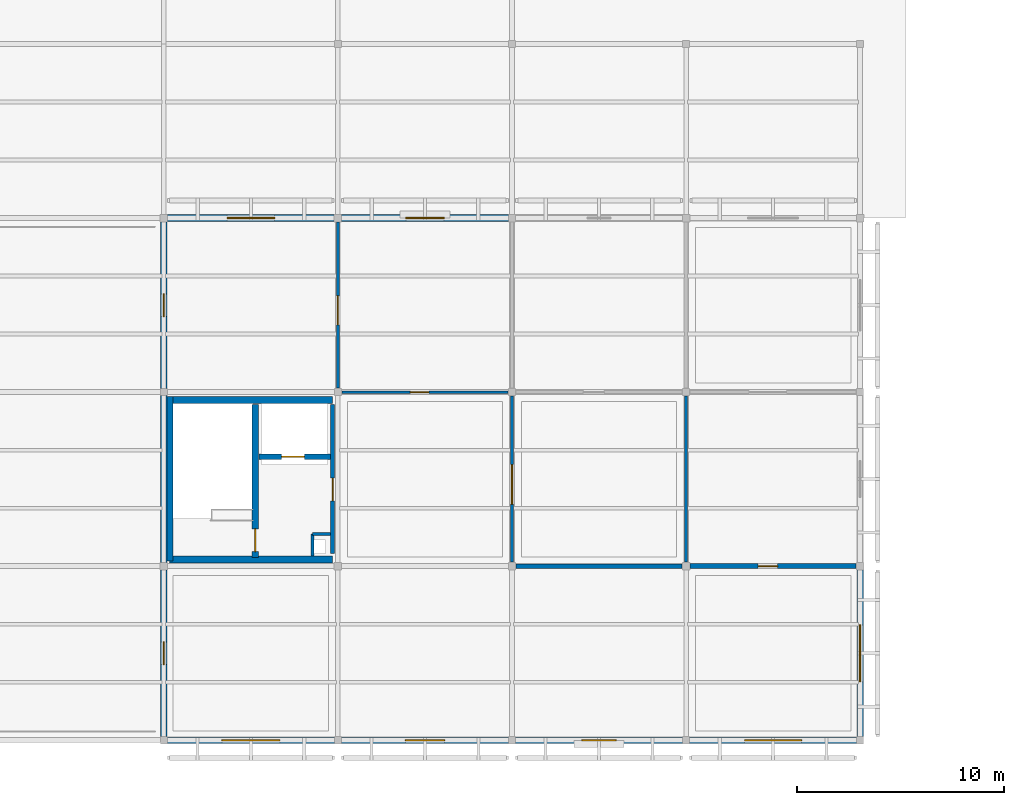
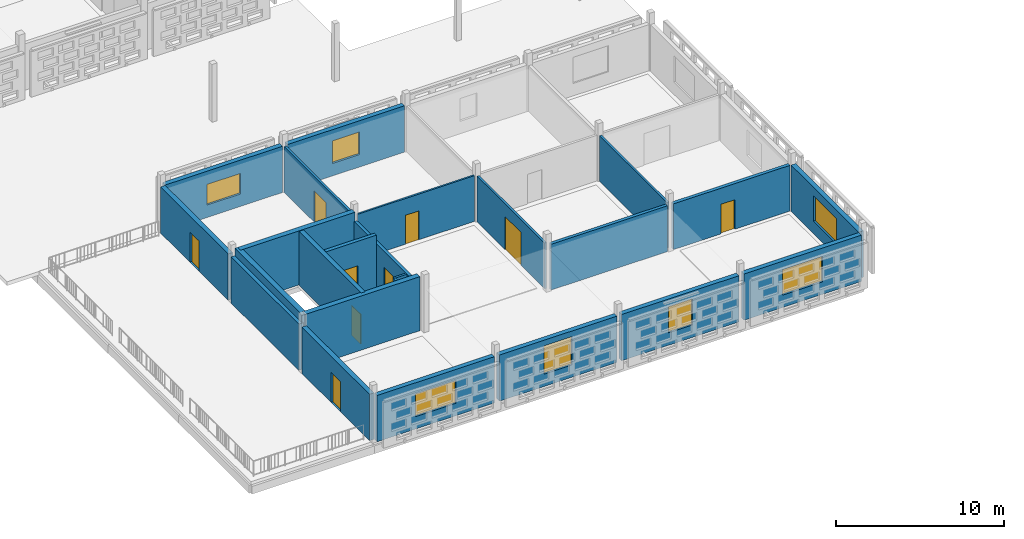
# One storey, part 69 of 103: 24 walls, 9 doors, 7 windows, 16 openings.
"""IFC4 building model written with IfcOpenShell, lengths in metres."""

from ifc_helpers import new_model, si_unit, direction, frame, frame_2d, origin, place, context, subcontext, project, spatial, rectangle, extrude, material, layer, layer_set, type_object, element, fill, save


model = new_model("IFC4")

# Units and contexts
model_context = context("Model", 3, precision=1e-05, world=origin(), true_north=direction((0.0, 1.0)))
body_context = subcontext(model_context, "Body", "Model", "MODEL_VIEW")
ifc_project = project(units=[si_unit("LENGTHUNIT", "METRE"), si_unit("AREAUNIT", "SQUARE_METRE"), si_unit("VOLUMEUNIT", "CUBIC_METRE"), si_unit("PLANEANGLEUNIT", "RADIAN"), si_unit("MASSUNIT", "GRAM", prefix="KILO")], contexts=[model_context])

# Site, building, storey
site_placement = place(None, origin())
site = spatial("IfcSite", under=ifc_project, at=site_placement, CompositionType="ELEMENT")
building_placement = place(site_placement, origin())
building = spatial("IfcBuilding", under=site, at=building_placement, Name="Varnapada Polytechnic", CompositionType="ELEMENT")
storey_placement = place(building_placement, frame((0.0, 0.0, 18.0)))
storey = spatial("IfcBuildingStorey", under=building, at=storey_placement, Name="L04", CompositionType="ELEMENT", Elevation=18.0)

# Wall, opening, door
ifc_material_1 = material(Name="Autoclaved Aerated Concrete Block AAC-600", Category="concrete")
ifc_layer_1 = layer(ifc_material_1, 0.199951171875)
ifc_layer_set_1 = layer_set([ifc_layer_1], Name="Autoclaved Aerated Concrete Block AAC-600")
wall_type_1 = type_object("IfcWallType", Name="Interior Wall IW-01", PredefinedType="PARTITIONING", material=ifc_layer_set_1)
wall_1_placement = place(storey_placement, frame((24.93994140625, 24.60009765625, 0.0), z_axis=(0.0, 0.0, 1.0), x_axis=(0.0, -1.0, 0.0)))
wall_1 = element("IfcWall", 1, at=wall_1_placement, inside=storey, type_object=wall_type_1, Name="L04 C3 firefighting lobby east wall", PredefinedType="PARTITIONING", context=body_context, shape_type="SweptSolid", body=[
    extrude(rectangle(XDim=7.2001953125, YDim=0.199951171875, at=frame_2d((3.60009765625, 0.0))), origin(), (0.0, 0.0, 1.0), 3.320068359375),
])
opening_1_placement = place(wall_1_placement, frame((3.550048828125, 0.0, 0.0)))
opening_1 = element("IfcOpeningElement", 2, at=opening_1_placement, cuts=wall_1, Name="Opening D-1263", PredefinedType="OPENING", context=body_context, shape_type="SweptSolid", body=[
    extrude(rectangle(XDim=1.10009765625, YDim=2.14990234375, at=frame_2d((0.550048828125, 1.074951171875))), frame((0.0, 0.10986328125, 0.0), z_axis=(0.0, -1.0, 0.0), x_axis=(1.0, 0.0, 0.0)), (0.0, 0.0, 1.0), 0.219970703125),
])
ifc_material_2 = material(Name="Galvanized Steel Z275", Category="steel")
door_type_1 = type_object("IfcDoorType", Name="Interior Door ID-01", OperationType="NOTDEFINED", PredefinedType="DOOR", material=ifc_material_2)
door_1_placement = place(opening_1_placement, frame((1.10009765625, 0.0, 0.0), z_axis=(0.0, 0.0, 1.0), x_axis=(-1.0, 0.0, 0.0)))
door_1 = element("IfcDoor", 3, at=door_1_placement, inside=storey, type_object=door_type_1, Name="L04 C3 lobby fire door D-1263", OperationType="SINGLE_SWING_LEFT", OverallHeight=2.14990234375, OverallWidth=1.10009765625, PredefinedType="DOOR", context=body_context, shape_type="SweptSolid", body=[
    extrude(rectangle(XDim=1.10009765625, YDim=2.14990234375, at=frame_2d((0.550048828125, 1.074951171875))), frame((0.0, 0.02490234375, 0.0), z_axis=(0.0, -1.0, 0.0), x_axis=(1.0, 0.0, 0.0)), (0.0, 0.0, 1.0), 0.050048828125),
])
fill(opening_1, door_1)

# Walls
ifc_layer_2 = layer(ifc_material_1, 0.14990234375)
ifc_layer_set_2 = layer_set([ifc_layer_2], Name="Autoclaved Aerated Concrete Block AAC-600")
wall_type_2 = type_object("IfcWallType", Name="Interior Wall IW-02", PredefinedType="PARTITIONING", material=ifc_layer_set_2)
wall_2_placement = place(storey_placement, frame((23.97998046875, 18.360107421875, 0.0), z_axis=(0.0, 0.0, 1.0), x_axis=(0.0, -1.0, 0.0)))
element("IfcWall", 4, at=wall_2_placement, inside=storey, type_object=wall_type_2, Name="L04 C3 riser shaft west wall", PredefinedType="PARTITIONING", context=body_context, shape_type="SweptSolid", body=[
    extrude(rectangle(XDim=1.06005859375, YDim=0.14990234375, at=frame_2d((0.530029296875, 0.0))), origin(), (0.0, 0.0, 1.0), 3.320068359375),
])
wall_3_placement = place(storey_placement, frame((23.97998046875, 18.360107421875, 0.0), z_axis=(0.0, 0.0, 1.0), x_axis=(1.0, 0.0, 0.0)))
element("IfcWall", 5, at=wall_3_placement, inside=storey, type_object=wall_type_2, Name="L04 C3 riser shaft north wall", PredefinedType="PARTITIONING", context=body_context, shape_type="SweptSolid", body=[
    extrude(rectangle(XDim=0.860107421875, YDim=0.14990234375, at=frame_2d((0.43017578125, 0.0))), origin(), (0.0, 0.0, 1.0), 3.320068359375),
])

# Wall, opening, door
wall_4_placement = place(storey_placement, frame((33.60009765625, 17.0, 0.0), z_axis=(0.0, 0.0, 1.0), x_axis=(0.0, 1.0, 0.0)))
wall_4 = element("IfcWall", 6, at=wall_4_placement, inside=storey, type_object=wall_type_2, Name="L04 interior partition IW-L04-03-02-V", PredefinedType="PARTITIONING", context=body_context, shape_type="SweptSolid", body=[
    extrude(rectangle(XDim=8.010009765625, YDim=0.14990234375, at=frame_2d((4.0048828125, 0.0))), origin(), (0.0, 0.0, 1.0), 3.320068359375),
])
opening_2_placement = place(wall_4_placement, frame((2.800048828125, 0.0, 0.0)))
opening_2 = element("IfcOpeningElement", 7, at=opening_2_placement, cuts=wall_4, Name="Opening D-1287", PredefinedType="OPENING", context=body_context, shape_type="SweptSolid", body=[
    extrude(rectangle(XDim=1.89990234375, YDim=2.39990234375, at=frame_2d((0.949951171875, 1.199951171875))), frame((0.0, 0.0849609375, 0.0), z_axis=(0.0, -1.0, 0.0), x_axis=(1.0, 0.0, 0.0)), (0.0, 0.0, 1.0), 0.169921875),
])
ifc_material_3 = material(Name="Heavy Workshop Double Steel Door", Category="steel")
door_type_2 = type_object("IfcDoorType", Name="Interior Door ID-14", OperationType="NOTDEFINED", PredefinedType="DOOR", material=ifc_material_3)
door_2_placement = place(opening_2_placement, origin())
door_2 = element("IfcDoor", 8, at=door_2_placement, inside=storey, type_object=door_type_2, Name="L04 interior room door D-1287", OperationType="SINGLE_SWING_RIGHT", OverallHeight=2.39990234375, OverallWidth=1.89990234375, PredefinedType="DOOR", context=body_context, shape_type="SweptSolid", body=[
    extrude(rectangle(XDim=1.89990234375, YDim=2.39990234375, at=frame_2d((0.949951171875, 1.199951171875))), frame((0.0, 0.02490234375, 0.0), z_axis=(0.0, -1.0, 0.0), x_axis=(1.0, 0.0, 0.0)), (0.0, 0.0, 1.0), 0.050048828125),
])
fill(opening_2, door_2)

ifc_material_4 = material(Name="Gypsum Plasterboard Acoustic Partition")
ifc_layer_3 = layer(ifc_material_4, 0.125)
ifc_layer_set_3 = layer_set([ifc_layer_3], Name="Gypsum Plasterboard Acoustic Partition")
wall_type_3 = type_object("IfcWallType", Name="Interior Wall IW-03", PredefinedType="PARTITIONING", material=ifc_layer_set_3)
wall_5_placement = place(storey_placement, frame((25.389892578125, 25.199951171875, 0.0), z_axis=(0.0, 0.0, 1.0), x_axis=(1.0, 0.0, 0.0)))
wall_5 = element("IfcWall", 9, at=wall_5_placement, inside=storey, type_object=wall_type_3, Name="L04 interior partition IW-L04-03-02-H", PredefinedType="PARTITIONING", context=body_context, shape_type="SweptSolid", body=[
    extrude(rectangle(XDim=8.02001953125, YDim=0.125, at=frame_2d((4.010009765625, 0.0))), origin(), (0.0, 0.0, 1.0), 3.320068359375),
])
opening_3_placement = place(wall_5_placement, frame((3.300048828125, 0.0, 0.0)))
opening_3 = element("IfcOpeningElement", 10, at=opening_3_placement, cuts=wall_5, Name="Opening D-1288", PredefinedType="OPENING", context=body_context, shape_type="SweptSolid", body=[
    extrude(rectangle(XDim=0.89990234375, YDim=2.10009765625, at=frame_2d((0.449951171875, 1.050048828125))), frame((0.0, 0.072509765625, 0.0), z_axis=(0.0, -1.0, 0.0), x_axis=(1.0, 0.0, 0.0)), (0.0, 0.0, 1.0), 0.14501953125),
])
ifc_material_5 = material(Name="Moisture-Resistant HPL Timber", Category="wood")
door_type_3 = type_object("IfcDoorType", Name="Interior Door ID-15", OperationType="NOTDEFINED", PredefinedType="DOOR", material=ifc_material_5)
door_3_placement = place(opening_3_placement, origin())
door_3 = element("IfcDoor", 11, at=door_3_placement, inside=storey, type_object=door_type_3, Name="L04 interior room door D-1288", OperationType="SINGLE_SWING_LEFT", OverallHeight=2.10009765625, OverallWidth=0.89990234375, PredefinedType="DOOR", context=body_context, shape_type="SweptSolid", body=[
    extrude(rectangle(XDim=0.89990234375, YDim=2.10009765625, at=frame_2d((0.449951171875, 1.050048828125))), frame((0.0, 0.02490234375, 0.0), z_axis=(0.0, -1.0, 0.0), x_axis=(1.0, 0.0, 0.0)), (0.0, 0.0, 1.0), 0.050048828125),
])
fill(opening_3, door_3)

ifc_material_6 = material(Name="Cross-laminated timber CLT C24", Category="wood")
ifc_layer_4 = layer(ifc_material_6, 0.159912109375)
ifc_layer_set_4 = layer_set([ifc_layer_4], Name="Cross-laminated timber CLT C24")
wall_type_4 = type_object("IfcWallType", Name="Interior Wall IW-05", PredefinedType="PARTITIONING", material=ifc_layer_set_4)
wall_6_placement = place(storey_placement, frame((25.199951171875, 25.389892578125, 0.0), z_axis=(0.0, 0.0, 1.0), x_axis=(0.0, 1.0, 0.0)))
wall_6 = element("IfcWall", 12, at=wall_6_placement, inside=storey, type_object=wall_type_4, Name="L04 interior partition IW-L04-02-03-V", PredefinedType="PARTITIONING", context=body_context, shape_type="SweptSolid", body=[
    extrude(rectangle(XDim=8.010009765625, YDim=0.159912109375, at=frame_2d((4.0048828125, 0.0))), origin(), (0.0, 0.0, 1.0), 3.320068359375),
])
opening_4_placement = place(wall_6_placement, frame((3.050048828125, 0.0, 0.0)))
opening_4 = element("IfcOpeningElement", 13, at=opening_4_placement, cuts=wall_6, Name="Opening D-1279", PredefinedType="OPENING", context=body_context, shape_type="SweptSolid", body=[
    extrude(rectangle(XDim=1.39990234375, YDim=2.25, at=frame_2d((0.699951171875, 1.125))), frame((0.0, 0.08984375, 0.0), z_axis=(0.0, -1.0, 0.0), x_axis=(1.0, 0.0, 0.0)), (0.0, 0.0, 1.0), 0.179931640625),
])
ifc_material_7 = material(Name="Powder-Coated Aluminium 6063-T6", Category="aluminium")
door_type_4 = type_object("IfcDoorType", Name="Interior Door ID-06", OperationType="NOTDEFINED", PredefinedType="DOOR", material=ifc_material_7)
door_4_placement = place(opening_4_placement, origin())
door_4 = element("IfcDoor", 14, at=door_4_placement, inside=storey, type_object=door_type_4, Name="L04 interior room door D-1279", OperationType="SINGLE_SWING_RIGHT", OverallHeight=2.25, OverallWidth=1.39990234375, PredefinedType="DOOR", context=body_context, shape_type="SweptSolid", body=[
    extrude(rectangle(XDim=1.39990234375, YDim=2.25, at=frame_2d((0.699951171875, 1.125))), frame((0.0, 0.02490234375, 0.0), z_axis=(0.0, -1.0, 0.0), x_axis=(1.0, 0.0, 0.0)), (0.0, 0.0, 1.0), 0.050048828125),
])
fill(opening_4, door_4)

# Walls
ifc_material_8 = material(Name="Heavy Acoustic Auditorium Baffle Wall")
ifc_layer_5 = layer(ifc_material_8, 0.219970703125)
ifc_layer_set_5 = layer_set([ifc_layer_5], Name="Heavy Acoustic Auditorium Baffle Wall")
wall_type_5 = type_object("IfcWallType", Name="Interior Wall IW-13", PredefinedType="PARTITIONING", material=ifc_layer_set_5)
wall_7_placement = place(storey_placement, frame((33.800048828125, 16.800048828125, 0.0), z_axis=(0.0, 0.0, 1.0), x_axis=(1.0, 0.0, 0.0)))
element("IfcWall", 15, at=wall_7_placement, inside=storey, type_object=wall_type_5, Name="L04 interior partition IW-L04-04-01-H", PredefinedType="PARTITIONING", context=body_context, shape_type="SweptSolid", body=[
    extrude(rectangle(XDim=8.0, YDim=0.219970703125, at=frame_2d((4.0, 0.0))), origin(), (0.0, 0.0, 1.0), 3.320068359375),
])
ifc_material_9 = material(Name="Ceramic-Tiled Wet Laboratory Wall")
ifc_layer_6 = layer(ifc_material_9, 0.14501953125)
ifc_layer_set_6 = layer_set([ifc_layer_6], Name="Ceramic-Tiled Wet Laboratory Wall")
wall_type_6 = type_object("IfcWallType", Name="Interior Wall IW-14", PredefinedType="PARTITIONING", material=ifc_layer_set_6)
wall_8_placement = place(storey_placement, frame((42.0, 17.0, 0.0), z_axis=(0.0, 0.0, 1.0), x_axis=(0.0, 1.0, 0.0)))
element("IfcWall", 16, at=wall_8_placement, inside=storey, type_object=wall_type_6, Name="L04 interior partition IW-L04-04-02-V", PredefinedType="PARTITIONING", context=body_context, shape_type="SweptSolid", body=[
    extrude(rectangle(XDim=8.010009765625, YDim=0.14501953125, at=frame_2d((4.0048828125, 0.0))), origin(), (0.0, 0.0, 1.0), 3.320068359375),
])

# Wall, opening, door
ifc_material_10 = material(Name="Double-Leaf Acoustic Lecture Wall")
ifc_layer_7 = layer(ifc_material_10, 0.235107421875)
ifc_layer_set_7 = layer_set([ifc_layer_7], Name="Double-Leaf Acoustic Lecture Wall")
wall_type_7 = type_object("IfcWallType", Name="Interior Wall IW-17", PredefinedType="PARTITIONING", material=ifc_layer_set_7)
wall_9_placement = place(storey_placement, frame((42.199951171875, 16.800048828125, 0.0), z_axis=(0.0, 0.0, 1.0), x_axis=(1.0, 0.0, 0.0)))
wall_9 = element("IfcWall", 17, at=wall_9_placement, inside=storey, type_object=wall_type_7, Name="L04 interior partition IW-L04-05-01-H", PredefinedType="PARTITIONING", context=body_context, shape_type="SweptSolid", body=[
    extrude(rectangle(XDim=8.0, YDim=0.235107421875, at=frame_2d((4.0, 0.0))), origin(), (0.0, 0.0, 1.0), 3.320068359375),
])
opening_5_placement = place(wall_9_placement, frame((3.27490234375, 0.0, 0.0)))
opening_5 = element("IfcOpeningElement", 18, at=opening_5_placement, cuts=wall_9, Name="Opening D-1293", PredefinedType="OPENING", context=body_context, shape_type="SweptSolid", body=[
    extrude(rectangle(XDim=0.949951171875, YDim=2.14990234375, at=frame_2d((0.47509765625, 1.074951171875))), frame((0.0, 0.12744140625, 0.0), z_axis=(0.0, -1.0, 0.0), x_axis=(1.0, 0.0, 0.0)), (0.0, 0.0, 1.0), 0.255126953125),
])
door_type_5 = type_object("IfcDoorType", Name="Interior Door ID-03", OperationType="NOTDEFINED", PredefinedType="DOOR", material=ifc_material_5)
door_5_placement = place(opening_5_placement, origin())
door_5 = element("IfcDoor", 19, at=door_5_placement, inside=storey, type_object=door_type_5, Name="L04 interior room door D-1293", OperationType="SINGLE_SWING_RIGHT", OverallHeight=2.14990234375, OverallWidth=0.949951171875, PredefinedType="DOOR", context=body_context, shape_type="SweptSolid", body=[
    extrude(rectangle(XDim=0.949951171875, YDim=2.14990234375, at=frame_2d((0.47509765625, 1.074951171875))), frame((0.0, 0.02490234375, 0.0), z_axis=(0.0, -1.0, 0.0), x_axis=(1.0, 0.0, 0.0)), (0.0, 0.0, 1.0), 0.050048828125),
])
fill(opening_5, door_5)

# Walls
ifc_material_11 = material(Name="Concrete C40/50", Category="concrete")
ifc_layer_8 = layer(ifc_material_11, 0.35009765625)
ifc_layer_set_8 = layer_set([ifc_layer_8], Name="Concrete C40/50")
wall_type_8 = type_object("IfcWallType", Name="Interior Wall SW-01", PredefinedType="SHEAR", material=ifc_layer_set_8)
wall_10_placement = place(storey_placement, frame((17.06494140625, 17.050048828125, 0.0), z_axis=(0.0, 0.0, 1.0), x_axis=(0.0, 1.0, 0.0)))
element("IfcWall", 20, at=wall_10_placement, inside=storey, type_object=wall_type_8, Name="L04 C3 stair west shear wall", PredefinedType="SHEAR", context=body_context, shape_type="SweptSolid", body=[
    extrude(rectangle(XDim=7.93994140625, YDim=0.35009765625, at=frame_2d((3.969970703125, 0.0))), origin(), (0.0, 0.0, 1.0), 3.929931640625),
])
for number, where, z_axis, x_axis, name in (
    (21, (17.06494140625, 24.820068359375, 0.0), (0.0, 0.0, 1.0), (1.0, 0.0, 0.0), "L04 C3 core north shear wall"),
    (22, (24.93994140625, 17.1201171875, 0.0), (0.0, 0.0, 1.0), (-1.0, 0.0, 0.0), "L04 C3 core south shear wall"),
):
    element("IfcWall", number, at=place(storey_placement, frame(where, z_axis=z_axis, x_axis=x_axis)), inside=storey, type_object=wall_type_8, Name=name, PredefinedType="SHEAR", context=body_context, shape_type="SweptSolid", body=[
        extrude(rectangle(XDim=7.875, YDim=0.35009765625, at=frame_2d((3.9375, 0.0))), origin(), (0.0, 0.0, 1.0), 3.929931640625),
    ])

# Wall, opening, door
ifc_layer_9 = layer(ifc_material_11, 0.300048828125)
ifc_layer_set_9 = layer_set([ifc_layer_9], Name="Concrete C40/50")
wall_type_9 = type_object("IfcWallType", Name="Interior Wall SW-02", PredefinedType="SHEAR", material=ifc_layer_set_9)
wall_11_placement = place(storey_placement, frame((21.2099609375, 17.219970703125, 0.0), z_axis=(0.0, 0.0, 1.0), x_axis=(0.0, 1.0, 0.0)))
wall_11 = element("IfcWall", 23, at=wall_11_placement, inside=storey, type_object=wall_type_9, Name="L04 C3 stair-lobby dividing shear wall", PredefinedType="SHEAR", context=body_context, shape_type="SweptSolid", body=[
    extrude(rectangle(XDim=7.380126953125, YDim=0.300048828125, at=frame_2d((3.68994140625, 0.0))), origin(), (0.0, 0.0, 1.0), 3.929931640625),
])
opening_6_placement = place(wall_11_placement, frame((0.280029296875, 0.0, 0.0)))
opening_6 = element("IfcOpeningElement", 24, at=opening_6_placement, cuts=wall_11, Name="Opening D-1264", PredefinedType="OPENING", context=body_context, shape_type="SweptSolid", body=[
    extrude(rectangle(XDim=1.10009765625, YDim=2.14990234375, at=frame_2d((0.550048828125, 1.074951171875))), frame((0.0, 0.159912109375, 0.0), z_axis=(0.0, -1.0, 0.0), x_axis=(1.0, 0.0, 0.0)), (0.0, 0.0, 1.0), 0.320068359375),
])
door_6_placement = place(opening_6_placement, origin())
door_6 = element("IfcDoor", 25, at=door_6_placement, inside=storey, type_object=door_type_1, Name="L04 C3 exit stair door D-1264", OperationType="SINGLE_SWING_LEFT", OverallHeight=2.14990234375, OverallWidth=1.10009765625, PredefinedType="DOOR", context=body_context, shape_type="SweptSolid", body=[
    extrude(rectangle(XDim=1.10009765625, YDim=2.14990234375, at=frame_2d((0.550048828125, 1.074951171875))), frame((0.0, 0.02490234375, 0.0), z_axis=(0.0, -1.0, 0.0), x_axis=(1.0, 0.0, 0.0)), (0.0, 0.0, 1.0), 0.050048828125),
])
fill(opening_6, door_6)

ifc_layer_10 = layer(ifc_material_11, 0.25)
ifc_layer_set_10 = layer_set([ifc_layer_10], Name="Concrete C40/50")
wall_type_10 = type_object("IfcWallType", Name="Interior Wall SW-05", PredefinedType="SHEAR", material=ifc_layer_set_10)
wall_12_placement = place(storey_placement, frame((21.3798828125, 22.080078125, 0.0), z_axis=(0.0, 0.0, 1.0), x_axis=(1.0, 0.0, 0.0)))
wall_12 = element("IfcWall", 26, at=wall_12_placement, inside=storey, type_object=wall_type_10, Name="L04 C3 lift shaft front wall", PredefinedType="SHEAR", context=body_context, shape_type="SweptSolid", body=[
    extrude(rectangle(XDim=3.460205078125, YDim=0.25, at=frame_2d((1.72998046875, 0.0))), origin(), (0.0, 0.0, 1.0), 3.929931640625),
])
opening_7_placement = place(wall_12_placement, frame((1.10009765625, 0.0, 0.0)))
opening_7 = element("IfcOpeningElement", 27, at=opening_7_placement, cuts=wall_12, Name="Opening LD-032", PredefinedType="OPENING", context=body_context, shape_type="SweptSolid", body=[
    extrude(rectangle(XDim=1.10009765625, YDim=2.14990234375, at=frame_2d((0.550048828125, 1.074951171875))), frame((0.0, 0.135009765625, 0.0), z_axis=(0.0, -1.0, 0.0), x_axis=(1.0, 0.0, 0.0)), (0.0, 0.0, 1.0), 0.27001953125),
])
ifc_material_12 = material(Name="Brushed Stainless Steel 316", Category="steel")
door_type_6 = type_object("IfcDoorType", Name="Interior Door LD-01", OperationType="NOTDEFINED", PredefinedType="DOOR", material=ifc_material_12)
door_7_placement = place(opening_7_placement, origin())
door_7 = element("IfcDoor", 28, at=door_7_placement, inside=storey, type_object=door_type_6, Name="L04 LFT-03 sliding lift landing door LD-032", OperationType="DOUBLE_DOOR_SLIDING", OverallHeight=2.14990234375, OverallWidth=1.10009765625, PredefinedType="DOOR", context=body_context, shape_type="SweptSolid", body=[
    extrude(rectangle(XDim=1.10009765625, YDim=2.14990234375, at=frame_2d((0.550048828125, 1.074951171875))), frame((0.0, 0.02490234375, 0.0), z_axis=(0.0, -1.0, 0.0), x_axis=(1.0, 0.0, 0.0)), (0.0, 0.0, 1.0), 0.050048828125),
])
fill(opening_7, door_7)

# Wall, opening, window
ifc_material_13 = material(Name="Precast concrete C40/50", Category="concrete")
ifc_layer_11 = layer(ifc_material_13, 0.320068359375)
ifc_layer_set_11 = layer_set([ifc_layer_11], Name="Precast concrete C40/50")
wall_type_11 = type_object("IfcWallType", Name="Wall EW-04", PredefinedType="SOLIDWALL", material=ifc_layer_set_11)
wall_13_placement = place(storey_placement, frame((25.030029296875, 8.39990234375, 0.0), z_axis=(0.0, 0.0, 1.0), x_axis=(-1.0, 0.0, 0.0)))
wall_13 = element("IfcWall", 29, at=wall_13_placement, inside=storey, type_object=wall_type_11, Name="L04 exterior wall EW-04 (14)", PredefinedType="SOLIDWALL", context=body_context, shape_type="SweptSolid", body=[
    extrude(rectangle(XDim=8.06005859375, YDim=0.320068359375, at=frame_2d((4.030029296875, 0.0))), origin(), (0.0, 0.0, 1.0), 3.360107421875),
])
opening_8_placement = place(wall_13_placement, frame((2.6298828125, 0.0, 0.89990234375)))
opening_8 = element("IfcOpeningElement", 30, at=opening_8_placement, cuts=wall_13, Name="Opening WN-13", PredefinedType="OPENING", context=body_context, shape_type="SweptSolid", body=[
    extrude(rectangle(XDim=2.800048828125, YDim=1.64990234375, at=frame_2d((1.39990234375, 0.824951171875))), frame((0.0, 0.169921875, 0.0), z_axis=(0.0, -1.0, 0.0), x_axis=(1.0, 0.0, 0.0)), (0.0, 0.0, 1.0), 0.340087890625),
])
ifc_material_14 = material(Name="Double low-E laminated glass", Category="glass")
window_type_1 = type_object("IfcWindowType", Name="Window WN-13", PartitioningType="SINGLE_PANEL", PredefinedType="WINDOW", material=ifc_material_14)
window_1_placement = place(opening_8_placement, origin())
window_1 = element("IfcWindow", 31, at=window_1_placement, inside=storey, type_object=window_type_1, Name="L04 window WN-13 (191)", OverallHeight=1.64990234375, OverallWidth=2.800048828125, PartitioningType="SINGLE_PANEL", PredefinedType="WINDOW", context=body_context, shape_type="SweptSolid", body=[
    extrude(rectangle(XDim=2.800048828125, YDim=1.64990234375, at=frame_2d((1.39990234375, 0.824951171875))), frame((0.0, 0.030029296875, 0.0), z_axis=(0.0, -1.0, 0.0), x_axis=(1.0, 0.0, 0.0)), (0.0, 0.0, 1.0), 0.06005859375),
])
fill(opening_8, window_1)

# Wall, opening, door
wall_14_placement = place(storey_placement, frame((16.800048828125, 8.570068359375, 0.0), z_axis=(0.0, 0.0, 1.0), x_axis=(0.0, 1.0, 0.0)))
wall_14 = element("IfcWall", 32, at=wall_14_placement, inside=storey, type_object=wall_type_11, Name="L04 exterior wall EW-04 (15)", PredefinedType="SOLIDWALL", context=body_context, shape_type="SweptSolid", body=[
    extrude(rectangle(XDim=8.050048828125, YDim=0.320068359375, at=frame_2d((4.02490234375, 0.0))), origin(), (0.0, 0.0, 1.0), 3.360107421875),
])
opening_9_placement = place(wall_14_placement, frame((3.47509765625, 0.0, 0.0)))
opening_9 = element("IfcOpeningElement", 33, at=opening_9_placement, cuts=wall_14, Name="Opening D-047", PredefinedType="OPENING", context=body_context, shape_type="SweptSolid", body=[
    extrude(rectangle(XDim=1.10009765625, YDim=2.199951171875, at=frame_2d((0.550048828125, 1.10009765625))), frame((0.0, 0.169921875, 0.0), z_axis=(0.0, -1.0, 0.0), x_axis=(1.0, 0.0, 0.0)), (0.0, 0.0, 1.0), 0.340087890625),
])
ifc_material_15 = material(Name="Anodised aluminium and laminated glass", Category="aluminium")
door_type_7 = type_object("IfcDoorType", Name="Exterior Door ED-03", OperationType="NOTDEFINED", PredefinedType="DOOR", material=ifc_material_15)
door_8_placement = place(opening_9_placement, origin())
door_8 = element("IfcDoor", 34, at=door_8_placement, inside=storey, type_object=door_type_7, Name="L04 roof terrace access door D-047", OperationType="SINGLE_SWING_RIGHT", OverallHeight=2.199951171875, OverallWidth=1.10009765625, PredefinedType="DOOR", context=body_context, shape_type="SweptSolid", body=[
    extrude(rectangle(XDim=1.10009765625, YDim=2.199951171875, at=frame_2d((0.550048828125, 1.10009765625))), frame((0.0, 0.02490234375, 0.0), z_axis=(0.0, -1.0, 0.0), x_axis=(1.0, 0.0, 0.0)), (0.0, 0.0, 1.0), 0.050048828125),
])
fill(opening_9, door_8)

# Wall
wall_15_placement = place(storey_placement, frame((16.800048828125, 16.97998046875, 0.0), z_axis=(0.0, 0.0, 1.0), x_axis=(0.0, 1.0, 0.0)))
element("IfcWall", 35, at=wall_15_placement, inside=storey, type_object=wall_type_11, Name="L04 exterior wall EW-04 (16)", PredefinedType="SOLIDWALL", context=body_context, shape_type="SweptSolid", body=[
    extrude(rectangle(XDim=8.050048828125, YDim=0.320068359375, at=frame_2d((4.02490234375, 0.0))), origin(), (0.0, 0.0, 1.0), 3.360107421875),
])

# Wall, opening, window
wall_16_placement = place(storey_placement, frame((16.97998046875, 33.60009765625, 0.0), z_axis=(0.0, 0.0, 1.0), x_axis=(1.0, 0.0, 0.0)))
wall_16 = element("IfcWall", 36, at=wall_16_placement, inside=storey, type_object=wall_type_11, Name="L04 exterior wall EW-04 (17)", PredefinedType="SOLIDWALL", context=body_context, shape_type="SweptSolid", body=[
    extrude(rectangle(XDim=8.0400390625, YDim=0.320068359375, at=frame_2d((4.02001953125, 0.0))), origin(), (0.0, 0.0, 1.0), 3.360107421875),
])
opening_10_placement = place(wall_16_placement, frame((2.8701171875, 0.0, 0.89990234375)))
opening_10 = element("IfcOpeningElement", 37, at=opening_10_placement, cuts=wall_16, Name="Opening WN-19", PredefinedType="OPENING", context=body_context, shape_type="SweptSolid", body=[
    extrude(rectangle(XDim=2.300048828125, YDim=1.5, at=frame_2d((1.14990234375, 0.75))), frame((0.0, 0.169921875, 0.0), z_axis=(0.0, -1.0, 0.0), x_axis=(1.0, 0.0, 0.0)), (0.0, 0.0, 1.0), 0.340087890625),
])
window_type_2 = type_object("IfcWindowType", Name="Window WN-19", PartitioningType="SINGLE_PANEL", PredefinedType="WINDOW", material=ifc_material_14)
window_2_placement = place(opening_10_placement, origin())
window_2 = element("IfcWindow", 38, at=window_2_placement, inside=storey, type_object=window_type_2, Name="L04 window WN-19 (192)", OverallHeight=1.5, OverallWidth=2.300048828125, PartitioningType="SINGLE_PANEL", PredefinedType="WINDOW", context=body_context, shape_type="SweptSolid", body=[
    extrude(rectangle(XDim=2.300048828125, YDim=1.5, at=frame_2d((1.14990234375, 0.75))), frame((0.0, 0.030029296875, 0.0), z_axis=(0.0, -1.0, 0.0), x_axis=(1.0, 0.0, 0.0)), (0.0, 0.0, 1.0), 0.06005859375),
])
fill(opening_10, window_2)

# Wall, opening, door
wall_17_placement = place(storey_placement, frame((16.800048828125, 25.3701171875, 0.0), z_axis=(0.0, 0.0, 1.0), x_axis=(0.0, 1.0, 0.0)))
wall_17 = element("IfcWall", 39, at=wall_17_placement, inside=storey, type_object=wall_type_11, Name="L04 exterior wall EW-04 (18)", PredefinedType="SOLIDWALL", context=body_context, shape_type="SweptSolid", body=[
    extrude(rectangle(XDim=8.0498046875, YDim=0.320068359375, at=frame_2d((4.02490234375, 0.0))), origin(), (0.0, 0.0, 1.0), 3.360107421875),
])
opening_11_placement = place(wall_17_placement, frame((3.47509765625, 0.0, 0.0)))
opening_11 = element("IfcOpeningElement", 40, at=opening_11_placement, cuts=wall_17, Name="Opening D-048", PredefinedType="OPENING", context=body_context, shape_type="SweptSolid", body=[
    extrude(rectangle(XDim=1.10009765625, YDim=2.199951171875, at=frame_2d((0.550048828125, 1.10009765625))), frame((0.0, 0.169921875, 0.0), z_axis=(0.0, -1.0, 0.0), x_axis=(1.0, 0.0, 0.0)), (0.0, 0.0, 1.0), 0.340087890625),
])
door_9_placement = place(opening_11_placement, origin())
door_9 = element("IfcDoor", 41, at=door_9_placement, inside=storey, type_object=door_type_7, Name="L04 roof terrace access door D-048", OperationType="SINGLE_SWING_LEFT", OverallHeight=2.199951171875, OverallWidth=1.10009765625, PredefinedType="DOOR", context=body_context, shape_type="SweptSolid", body=[
    extrude(rectangle(XDim=1.10009765625, YDim=2.199951171875, at=frame_2d((0.550048828125, 1.10009765625))), frame((0.0, 0.02490234375, 0.0), z_axis=(0.0, -1.0, 0.0), x_axis=(1.0, 0.0, 0.0)), (0.0, 0.0, 1.0), 0.050048828125),
])
fill(opening_11, door_9)

# Wall, opening, window
wall_18_placement = place(storey_placement, frame((33.429931640625, 8.39990234375, 0.0), z_axis=(0.0, 0.0, 1.0), x_axis=(-1.0, 0.0, 0.0)))
wall_18 = element("IfcWall", 42, at=wall_18_placement, inside=storey, type_object=wall_type_11, Name="L04 exterior wall EW-04 (21)", PredefinedType="SOLIDWALL", context=body_context, shape_type="SweptSolid", body=[
    extrude(rectangle(XDim=8.059814453125, YDim=0.320068359375, at=frame_2d((4.02978515625, 0.0))), origin(), (0.0, 0.0, 1.0), 3.360107421875),
])
opening_12_placement = place(wall_18_placement, frame((3.080078125, 0.0, 0.89990234375)))
opening_12 = element("IfcOpeningElement", 43, at=opening_12_placement, cuts=wall_18, Name="Opening WN-18", PredefinedType="OPENING", context=body_context, shape_type="SweptSolid", body=[
    extrude(rectangle(XDim=1.89990234375, YDim=2.050048828125, at=frame_2d((0.949951171875, 1.02490234375))), frame((0.0, 0.169921875, 0.0), z_axis=(0.0, -1.0, 0.0), x_axis=(1.0, 0.0, 0.0)), (0.0, 0.0, 1.0), 0.340087890625),
])
window_type_3 = type_object("IfcWindowType", Name="Window WN-18", PartitioningType="SINGLE_PANEL", PredefinedType="WINDOW", material=ifc_material_14)
window_3_placement = place(opening_12_placement, origin())
window_3 = element("IfcWindow", 44, at=window_3_placement, inside=storey, type_object=window_type_3, Name="L04 window WN-18 (195)", OverallHeight=2.050048828125, OverallWidth=1.89990234375, PartitioningType="SINGLE_PANEL", PredefinedType="WINDOW", context=body_context, shape_type="SweptSolid", body=[
    extrude(rectangle(XDim=1.89990234375, YDim=2.050048828125, at=frame_2d((0.949951171875, 1.02490234375))), frame((0.0, 0.030029296875, 0.0), z_axis=(0.0, -1.0, 0.0), x_axis=(1.0, 0.0, 0.0)), (0.0, 0.0, 1.0), 0.06005859375),
])
fill(opening_12, window_3)

wall_19_placement = place(storey_placement, frame((25.3798828125, 33.60009765625, 0.0), z_axis=(0.0, 0.0, 1.0), x_axis=(1.0, 0.0, 0.0)))
wall_19 = element("IfcWall", 45, at=wall_19_placement, inside=storey, type_object=wall_type_11, Name="L04 exterior wall EW-04 (22)", PredefinedType="SOLIDWALL", context=body_context, shape_type="SweptSolid", body=[
    extrude(rectangle(XDim=8.0400390625, YDim=0.320068359375, at=frame_2d((4.02001953125, 0.0))), origin(), (0.0, 0.0, 1.0), 3.360107421875),
])
opening_13_placement = place(wall_19_placement, frame((3.094970703125, 0.0, 0.89990234375)))
opening_13 = element("IfcOpeningElement", 46, at=opening_13_placement, cuts=wall_19, Name="Opening WN-24", PredefinedType="OPENING", context=body_context, shape_type="SweptSolid", body=[
    extrude(rectangle(XDim=1.85009765625, YDim=1.64990234375, at=frame_2d((0.925048828125, 0.824951171875))), frame((0.0, 0.169921875, 0.0), z_axis=(0.0, -1.0, 0.0), x_axis=(1.0, 0.0, 0.0)), (0.0, 0.0, 1.0), 0.340087890625),
])
window_type_4 = type_object("IfcWindowType", Name="Window WN-24", PartitioningType="SINGLE_PANEL", PredefinedType="WINDOW", material=ifc_material_14)
window_4_placement = place(opening_13_placement, origin())
window_4 = element("IfcWindow", 47, at=window_4_placement, inside=storey, type_object=window_type_4, Name="L04 window WN-24 (196)", OverallHeight=1.64990234375, OverallWidth=1.85009765625, PartitioningType="SINGLE_PANEL", PredefinedType="WINDOW", context=body_context, shape_type="SweptSolid", body=[
    extrude(rectangle(XDim=1.85009765625, YDim=1.64990234375, at=frame_2d((0.925048828125, 0.824951171875))), frame((0.0, 0.030029296875, 0.0), z_axis=(0.0, -1.0, 0.0), x_axis=(1.0, 0.0, 0.0)), (0.0, 0.0, 1.0), 0.06005859375),
])
fill(opening_13, window_4)

wall_20_placement = place(storey_placement, frame((41.830078125, 8.39990234375, 0.0), z_axis=(0.0, 0.0, 1.0), x_axis=(-1.0, 0.0, 0.0)))
wall_20 = element("IfcWall", 48, at=wall_20_placement, inside=storey, type_object=wall_type_11, Name="L04 exterior wall EW-04 (34)", PredefinedType="SOLIDWALL", context=body_context, shape_type="SweptSolid", body=[
    extrude(rectangle(XDim=8.06005859375, YDim=0.320068359375, at=frame_2d((4.030029296875, 0.0))), origin(), (0.0, 0.0, 1.0), 3.360107421875),
])
opening_14_placement = place(wall_20_placement, frame((3.205078125, 0.0, 0.89990234375)))
opening_14 = element("IfcOpeningElement", 49, at=opening_14_placement, cuts=wall_20, Name="Opening WN-23", PredefinedType="OPENING", context=body_context, shape_type="SweptSolid", body=[
    extrude(rectangle(XDim=1.64990234375, YDim=1.89990234375, at=frame_2d((0.824951171875, 0.949951171875))), frame((0.0, 0.169921875, 0.0), z_axis=(0.0, -1.0, 0.0), x_axis=(1.0, 0.0, 0.0)), (0.0, 0.0, 1.0), 0.340087890625),
])
window_type_5 = type_object("IfcWindowType", Name="Window WN-23", PartitioningType="SINGLE_PANEL", PredefinedType="WINDOW", material=ifc_material_14)
window_5_placement = place(opening_14_placement, origin())
window_5 = element("IfcWindow", 50, at=window_5_placement, inside=storey, type_object=window_type_5, Name="L04 window WN-23 (208)", OverallHeight=1.89990234375, OverallWidth=1.64990234375, PartitioningType="SINGLE_PANEL", PredefinedType="WINDOW", context=body_context, shape_type="SweptSolid", body=[
    extrude(rectangle(XDim=1.64990234375, YDim=1.89990234375, at=frame_2d((0.824951171875, 0.949951171875))), frame((0.0, 0.030029296875, 0.0), z_axis=(0.0, -1.0, 0.0), x_axis=(1.0, 0.0, 0.0)), (0.0, 0.0, 1.0), 0.06005859375),
])
fill(opening_14, window_5)

wall_21_placement = place(storey_placement, frame((50.22998046875, 8.39990234375, 0.0), z_axis=(0.0, 0.0, 1.0), x_axis=(-1.0, 0.0, 0.0)))
wall_21 = element("IfcWall", 51, at=wall_21_placement, inside=storey, type_object=wall_type_11, Name="L04 exterior wall EW-04 (36)", PredefinedType="SOLIDWALL", context=body_context, shape_type="SweptSolid", body=[
    extrude(rectangle(XDim=8.06005859375, YDim=0.320068359375, at=frame_2d((4.030029296875, 0.0))), origin(), (0.0, 0.0, 1.0), 3.360107421875),
])
opening_15_placement = place(wall_21_placement, frame((2.655029296875, 0.0, 0.89990234375)))
opening_15 = element("IfcOpeningElement", 52, at=opening_15_placement, cuts=wall_21, Name="Opening WN-28", PredefinedType="OPENING", context=body_context, shape_type="SweptSolid", body=[
    extrude(rectangle(XDim=2.75, YDim=1.85009765625, at=frame_2d((1.375, 0.925048828125))), frame((0.0, 0.169921875, 0.0), z_axis=(0.0, -1.0, 0.0), x_axis=(1.0, 0.0, 0.0)), (0.0, 0.0, 1.0), 0.340087890625),
])
window_type_6 = type_object("IfcWindowType", Name="Window WN-28", PartitioningType="SINGLE_PANEL", PredefinedType="WINDOW", material=ifc_material_14)
window_6_placement = place(opening_15_placement, origin())
window_6 = element("IfcWindow", 53, at=window_6_placement, inside=storey, type_object=window_type_6, Name="L04 window WN-28 (210)", OverallHeight=1.85009765625, OverallWidth=2.75, PartitioningType="SINGLE_PANEL", PredefinedType="WINDOW", context=body_context, shape_type="SweptSolid", body=[
    extrude(rectangle(XDim=2.75, YDim=1.85009765625, at=frame_2d((1.375, 0.925048828125))), frame((0.0, 0.030029296875, 0.0), z_axis=(0.0, -1.0, 0.0), x_axis=(1.0, 0.0, 0.0)), (0.0, 0.0, 1.0), 0.06005859375),
])
fill(opening_15, window_6)

wall_22_placement = place(storey_placement, frame((50.39990234375, 16.6201171875, 0.0), z_axis=(0.0, 0.0, 1.0), x_axis=(0.0, -1.0, 0.0)))
wall_22 = element("IfcWall", 54, at=wall_22_placement, inside=storey, type_object=wall_type_11, Name="L04 exterior wall EW-04 (37)", PredefinedType="SOLIDWALL", context=body_context, shape_type="SweptSolid", body=[
    extrude(rectangle(XDim=8.050048828125, YDim=0.320068359375, at=frame_2d((4.02490234375, 0.0))), origin(), (0.0, 0.0, 1.0), 3.360107421875),
])
opening_16_placement = place(wall_22_placement, frame((2.64990234375, 0.0, 0.89990234375)))
opening_16 = element("IfcOpeningElement", 55, at=opening_16_placement, cuts=wall_22, Name="Opening WN-28", PredefinedType="OPENING", context=body_context, shape_type="SweptSolid", body=[
    extrude(rectangle(XDim=2.75, YDim=1.85009765625, at=frame_2d((1.375, 0.925048828125))), frame((0.0, 0.169921875, 0.0), z_axis=(0.0, -1.0, 0.0), x_axis=(1.0, 0.0, 0.0)), (0.0, 0.0, 1.0), 0.340087890625),
])
window_7_placement = place(opening_16_placement, origin())
window_7 = element("IfcWindow", 56, at=window_7_placement, inside=storey, type_object=window_type_6, Name="L04 window WN-28 (211)", OverallHeight=1.85009765625, OverallWidth=2.75, PartitioningType="SINGLE_PANEL", PredefinedType="WINDOW", context=body_context, shape_type="SweptSolid", body=[
    extrude(rectangle(XDim=2.75, YDim=1.85009765625, at=frame_2d((1.375, 0.925048828125))), frame((0.0, 0.030029296875, 0.0), z_axis=(0.0, -1.0, 0.0), x_axis=(1.0, 0.0, 0.0)), (0.0, 0.0, 1.0), 0.06005859375),
])
fill(opening_16, window_7)

save(model, "model.ifc")
